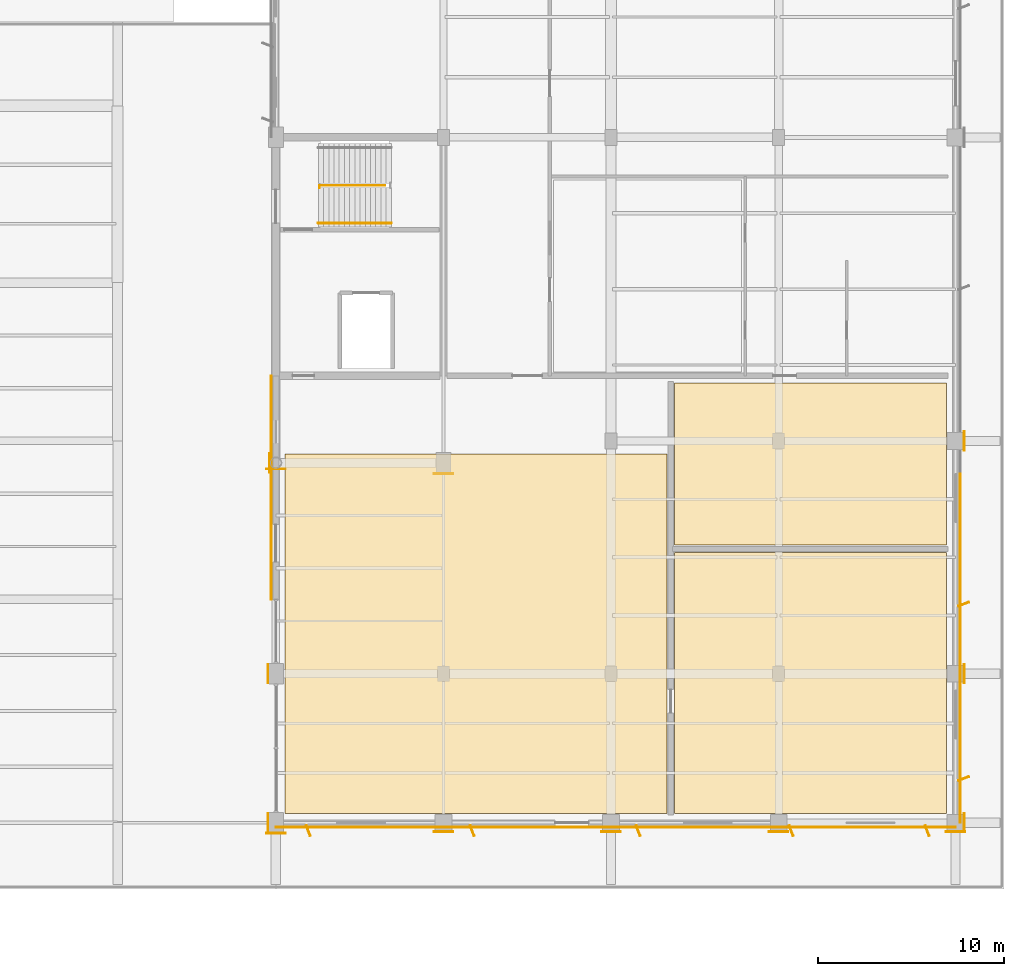
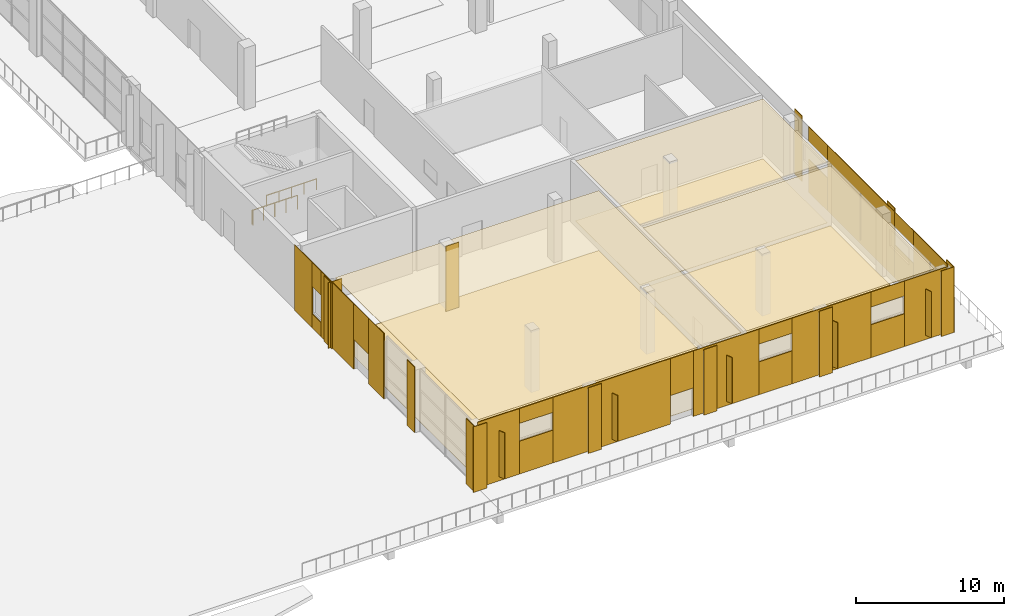
# One storey, part 84 of 90: 50 coverings, 2 railings.
"""IFC4 building model written with IfcOpenShell, lengths in metres."""

from ifc_helpers import new_model, si_unit, direction, frame, origin, origin_2d, place, context, subcontext, project, spatial, polyline, rectangle, circle, outline, extrude, material, layer, layer_set, type_object, element, save


model = new_model("IFC4")

# Units and contexts
model_context = context("Model", 3, precision=1e-05, world=origin(), true_north=direction((0.0, 1.0)))
body_context = subcontext(model_context, "Body", "Model", "MODEL_VIEW")
ifc_project = project(units=[si_unit("LENGTHUNIT", "METRE"), si_unit("AREAUNIT", "SQUARE_METRE"), si_unit("VOLUMEUNIT", "CUBIC_METRE"), si_unit("PLANEANGLEUNIT", "RADIAN"), si_unit("MASSUNIT", "GRAM", prefix="KILO")], contexts=[model_context])

# Site, building, storey
site_placement = place(None, origin())
site = spatial("IfcSite", under=ifc_project, at=site_placement, CompositionType="ELEMENT")
building_placement = place(site_placement, origin())
building = spatial("IfcBuilding", under=site, at=building_placement, Name="Solvikara Media Centre", CompositionType="ELEMENT")
storey_placement = place(building_placement, origin())
storey = spatial("IfcBuildingStorey", under=building, at=storey_placement, Name="L00", CompositionType="ELEMENT", Elevation=0.0)

# Coverings
ifc_material_1 = material(Name="Perforated acoustic gypsum ceiling board")
ifc_layer_1 = layer(ifc_material_1, 0.0400390625)
ifc_layer_set_1 = layer_set([ifc_layer_1], Name="Perforated acoustic gypsum ceiling board")
covering_type_1 = type_object("IfcCoveringType", Name="CV-01", PredefinedType="CEILING", material=ifc_layer_set_1)
covering_1_placement = place(storey_placement, frame((0.0, 0.0, 4.929931640625)))
element("IfcCovering", 1, at=covering_1_placement, inside=storey, type_object=covering_type_1, Name="CLG-010", PredefinedType="CEILING", context=body_context, shape_type="SweptSolid", body=[
    extrude(outline(polyline([(128.0, 0.5), (148.5, 0.5), (148.5, 19.800048828125), (128.0, 19.800048828125), (128.0, 0.5)])), origin(), (0.0, 0.0, 1.0), 0.0400390625),
])
covering_2_placement = place(storey_placement, frame((0.0, 0.0, 4.929931640625)))
element("IfcCovering", 2, at=covering_2_placement, inside=storey, type_object=covering_type_1, Name="CLG-011", PredefinedType="CEILING", context=body_context, shape_type="SweptSolid", body=[
    extrude(outline(polyline([(148.89990234375, 0.5), (163.5, 0.5), (163.5, 14.5), (148.89990234375, 14.5), (148.89990234375, 0.5)])), origin(), (0.0, 0.0, 1.0), 0.0400390625),
])
covering_3_placement = place(storey_placement, frame((0.0, 0.0, 4.929931640625)))
element("IfcCovering", 3, at=covering_3_placement, inside=storey, type_object=covering_type_1, Name="CLG-012", PredefinedType="CEILING", context=body_context, shape_type="SweptSolid", body=[
    extrude(outline(polyline([(148.89990234375, 14.89990234375), (163.5, 14.89990234375), (163.5, 23.60009765625), (148.89990234375, 23.60009765625), (148.89990234375, 14.89990234375)])), origin(), (0.0, 0.0, 1.0), 0.0400390625),
])
ifc_material_2 = material(Name="Polished terrazzo floor finish")
ifc_layer_2 = layer(ifc_material_2, 0.030029296875)
ifc_layer_set_2 = layer_set([ifc_layer_2], Name="Polished terrazzo floor finish")
covering_type_2 = type_object("IfcCoveringType", Name="CV-02", PredefinedType="FLOORING", material=ifc_layer_set_2)
covering_4_placement = place(storey_placement, origin())
element("IfcCovering", 4, at=covering_4_placement, inside=storey, type_object=covering_type_2, Name="FLR-010", PredefinedType="FLOORING", context=body_context, shape_type="SweptSolid", body=[
    extrude(outline(polyline([(128.0, 0.5), (148.5, 0.5), (148.5, 19.800048828125), (128.0, 19.800048828125), (128.0, 0.5)])), origin(), (0.0, 0.0, 1.0), 0.030029296875),
])
covering_5_placement = place(storey_placement, origin())
element("IfcCovering", 5, at=covering_5_placement, inside=storey, type_object=covering_type_2, Name="FLR-011", PredefinedType="FLOORING", context=body_context, shape_type="SweptSolid", body=[
    extrude(outline(polyline([(148.89990234375, 0.5), (163.5, 0.5), (163.5, 14.5), (148.89990234375, 14.5), (148.89990234375, 0.5)])), origin(), (0.0, 0.0, 1.0), 0.030029296875),
])
covering_6_placement = place(storey_placement, origin())
element("IfcCovering", 6, at=covering_6_placement, inside=storey, type_object=covering_type_2, Name="FLR-012", PredefinedType="FLOORING", context=body_context, shape_type="SweptSolid", body=[
    extrude(outline(polyline([(148.89990234375, 14.89990234375), (163.5, 14.89990234375), (163.5, 23.60009765625), (148.89990234375, 23.60009765625), (148.89990234375, 14.89990234375)])), origin(), (0.0, 0.0, 1.0), 0.030029296875),
])
ifc_material_3 = material(Name="GFRC white mineral architectural rainscreen panel")
ifc_layer_3 = layer(ifc_material_3, 0.050048828125)
ifc_layer_set_3 = layer_set([ifc_layer_3], Name="GFRC white mineral architectural rainscreen panel")
covering_type_3 = type_object("IfcCoveringType", Name="CV-04", PredefinedType="CLADDING", material=ifc_layer_set_3)
for number, where, z_axis, x_axis, name in (
    (7, (127.5, -0.574951171875, 0.0), (0.0, 0.0, 1.0), (1.0, 0.0, 0.0), "PIL-L00-185"),
    (8, (127.074951171875, 0.0, 0.0), (0.0, 0.0, 1.0), (0.0, -1.0, 0.0), "PIL-L00-186"),
    (9, (127.074951171875, 8.0, 0.0), (0.0, 0.0, 1.0), (0.0, -1.0, 0.0), "PIL-L00-191"),
    (10, (136.5, -0.47509765625, 0.0), (0.0, 0.0, 1.0), (1.0, 0.0, 0.0), "PIL-L00-198"),
    (11, (145.5, -0.47509765625, 0.0), (0.0, 0.0, 1.0), (1.0, 0.0, 0.0), "PIL-L00-205"),
    (12, (154.5, -0.47509765625, 0.0), (0.0, 0.0, 1.0), (1.0, 0.0, 0.0), "PIL-L00-211"),
    (13, (164.47509765625, 0.0, 0.0), (0.0, 0.0, 1.0), (0.0, 1.0, 0.0), "PIL-L00-217"),
    (14, (164.0, -0.47509765625, 0.0), (0.0, 0.0, 1.0), (1.0, 0.0, 0.0), "PIL-L00-218"),
    (15, (164.47509765625, 8.0, 0.0), (0.0, 0.0, 1.0), (0.0, 1.0, 0.0), "PIL-L00-223"),
    (16, (164.47509765625, 20.5, 0.0), (0.0, 0.0, 1.0), (0.0, 1.0, 0.0), "PIL-L00-228"),
    (17, (136.5, 18.7490234375, 0.0), (0.0, 0.0, 1.0), (1.0, 0.0, 0.0), "PIL-L00-242"),
    (18, (127.5, 18.993896484375, 0.0), (0.0, 0.0, 1.0), (1.0, 0.0, 0.0), "PIL-L00-253"),
    (19, (127.169921875, 19.323974609375, 0.0), (0.0, 0.0, 1.0), (0.0, -1.0, 0.0), "PIL-L00-254"),
):
    element("IfcCovering", number, at=place(storey_placement, frame(where, z_axis=z_axis, x_axis=x_axis)), inside=storey, type_object=covering_type_3, Name=name, PredefinedType="CLADDING", context=body_context, shape_type="SweptSolid", body=[
        extrude(rectangle(XDim=1.0400390625, YDim=0.050048828125, at=origin_2d()), origin(), (0.0, 0.0, 1.0), 5.39990234375),
    ])
covering_7_placement = place(storey_placement, frame((127.2548828125, 12.97998046875, 0.0), z_axis=(0.0, 0.0, 1.0), x_axis=(0.0, 1.0, 0.0)))
element("IfcCovering", 20, at=covering_7_placement, inside=storey, type_object=covering_type_3, Name="L00-V5W-CV-F01", PredefinedType="CLADDING", context=body_context, shape_type="SweptSolid", body=[
    extrude(rectangle(XDim=2.0400390625, YDim=0.050048828125, at=origin_2d()), origin(), (0.0, 0.0, 1.0), 5.39990234375),
])
covering_8_placement = place(storey_placement, frame((127.2548828125, 15.0, 2.4501953125), z_axis=(0.0, 0.0, 1.0), x_axis=(0.0, 1.0, 0.0)))
element("IfcCovering", 21, at=covering_8_placement, inside=storey, type_object=covering_type_3, Name="L00-V5W-CV-D02", PredefinedType="CLADDING", context=body_context, shape_type="SweptSolid", body=[
    extrude(rectangle(XDim=2.0, YDim=0.050048828125, at=origin_2d()), origin(), (0.0, 0.0, 1.0), 2.949951171875),
])
covering_9_placement = place(storey_placement, frame((127.2548828125, 18.195068359375, 0.0), z_axis=(0.0, 0.0, 1.0), x_axis=(0.0, 1.0, 0.0)))
element("IfcCovering", 22, at=covering_9_placement, inside=storey, type_object=covering_type_3, Name="L00-V5W-CV-F03", PredefinedType="CLADDING", context=body_context, shape_type="SweptSolid", body=[
    extrude(rectangle(XDim=4.389892578125, YDim=0.050048828125, at=origin_2d()), origin(), (0.0, 0.0, 1.0), 5.39990234375),
])
covering_10_placement = place(storey_placement, frame((127.2548828125, 20.989990234375, 0.0), z_axis=(0.0, 0.0, 1.0), x_axis=(0.0, 1.0, 0.0)))
element("IfcCovering", 23, at=covering_10_placement, inside=storey, type_object=covering_type_3, Name="L00-V5W-CV-S04", PredefinedType="CLADDING", context=body_context, shape_type="SweptSolid", body=[
    extrude(rectangle(XDim=1.199951171875, YDim=0.050048828125, at=origin_2d()), origin(), (0.0, 0.0, 1.0), 1.169921875),
])
covering_11_placement = place(storey_placement, frame((127.2548828125, 20.989990234375, 3.43017578125), z_axis=(0.0, 0.0, 1.0), x_axis=(0.0, 1.0, 0.0)))
element("IfcCovering", 24, at=covering_11_placement, inside=storey, type_object=covering_type_3, Name="L00-V5W-CV-H04", PredefinedType="CLADDING", context=body_context, shape_type="SweptSolid", body=[
    extrude(rectangle(XDim=1.199951171875, YDim=0.050048828125, at=origin_2d()), origin(), (0.0, 0.0, 1.0), 1.969970703125),
])
covering_12_placement = place(storey_placement, frame((127.2548828125, 22.794921875, 0.0), z_axis=(0.0, 0.0, 1.0), x_axis=(0.0, 1.0, 0.0)))
element("IfcCovering", 25, at=covering_12_placement, inside=storey, type_object=covering_type_3, Name="L00-V5W-CV-F05", PredefinedType="CLADDING", context=body_context, shape_type="SweptSolid", body=[
    extrude(rectangle(XDim=2.409912109375, YDim=0.050048828125, at=origin_2d()), origin(), (0.0, 0.0, 1.0), 5.39990234375),
])
covering_13_placement = place(storey_placement, frame((129.132080078125, -0.2451171875, 0.0), z_axis=(0.0, 0.0, 1.0), x_axis=(1.0, 0.0, 0.0)))
element("IfcCovering", 26, at=covering_13_placement, inside=storey, type_object=covering_type_3, Name="L00-V5S-CV-F01", PredefinedType="CLADDING", context=body_context, shape_type="SweptSolid", body=[
    extrude(rectangle(XDim=3.262939453125, YDim=0.050048828125, at=origin_2d()), origin(), (0.0, 0.0, 1.0), 5.39990234375),
])
covering_14_placement = place(storey_placement, frame((129.240966796875, -0.43505859375, 0.35009765625), z_axis=(0.0, 0.0, 1.0), x_axis=(0.3656566557, -0.930749810713, 0.0)))
element("IfcCovering", 27, at=covering_14_placement, inside=storey, type_object=covering_type_3, Name="L00-V5S-FIN-01", PredefinedType="CLADDING", context=body_context, shape_type="SweptSolid", body=[
    extrude(rectangle(XDim=0.60205078125, YDim=0.050048828125, at=origin_2d()), origin(), (0.0, 0.0, 1.0), 3.800048828125),
])
covering_15_placement = place(storey_placement, frame((132.06298828125, -0.2451171875, 0.0), z_axis=(0.0, 0.0, 1.0), x_axis=(1.0, 0.0, 0.0)))
element("IfcCovering", 28, at=covering_15_placement, inside=storey, type_object=covering_type_3, Name="L00-V5S-CV-S02", PredefinedType="CLADDING", context=body_context, shape_type="SweptSolid", body=[
    extrude(rectangle(XDim=2.60009765625, YDim=0.050048828125, at=origin_2d()), origin(), (0.0, 0.0, 1.0), 2.7099609375),
])
covering_16_placement = place(storey_placement, frame((132.06298828125, -0.2451171875, 4.169921875), z_axis=(0.0, 0.0, 1.0), x_axis=(1.0, 0.0, 0.0)))
element("IfcCovering", 29, at=covering_16_placement, inside=storey, type_object=covering_type_3, Name="L00-V5S-CV-H02", PredefinedType="CLADDING", context=body_context, shape_type="SweptSolid", body=[
    extrude(rectangle(XDim=2.60009765625, YDim=0.050048828125, at=origin_2d()), origin(), (0.0, 0.0, 1.0), 1.22998046875),
])
covering_17_placement = place(storey_placement, frame((137.930908203125, -0.2451171875, 0.0), z_axis=(0.0, 0.0, 1.0), x_axis=(1.0, 0.0, 0.0)))
element("IfcCovering", 30, at=covering_17_placement, inside=storey, type_object=covering_type_3, Name="L00-V5S-CV-F03", PredefinedType="CLADDING", context=body_context, shape_type="SweptSolid", body=[
    extrude(rectangle(XDim=9.136962890625, YDim=0.050048828125, at=origin_2d()), origin(), (0.0, 0.0, 1.0), 5.39990234375),
])
covering_18_placement = place(storey_placement, frame((138.041015625, -0.43505859375, 0.35009765625), z_axis=(0.0, 0.0, 1.0), x_axis=(0.3656566557, -0.930749810713, 0.0)))
element("IfcCovering", 31, at=covering_18_placement, inside=storey, type_object=covering_type_3, Name="L00-V5S-FIN-03", PredefinedType="CLADDING", context=body_context, shape_type="SweptSolid", body=[
    extrude(rectangle(XDim=0.60205078125, YDim=0.050048828125, at=origin_2d()), origin(), (0.0, 0.0, 1.0), 3.800048828125),
])
covering_19_placement = place(storey_placement, frame((143.39990234375, -0.2451171875, 2.35009765625), z_axis=(0.0, 0.0, 1.0), x_axis=(1.0, 0.0, 0.0)))
element("IfcCovering", 32, at=covering_19_placement, inside=storey, type_object=covering_type_3, Name="L00-V5S-CV-D04", PredefinedType="CLADDING", context=body_context, shape_type="SweptSolid", body=[
    extrude(rectangle(XDim=1.800048828125, YDim=0.050048828125, at=origin_2d()), origin(), (0.0, 0.0, 1.0), 3.050048828125),
])
covering_20_placement = place(storey_placement, frame((146.845947265625, -0.2451171875, 0.0), z_axis=(0.0, 0.0, 1.0), x_axis=(1.0, 0.0, 0.0)))
element("IfcCovering", 33, at=covering_20_placement, inside=storey, type_object=covering_type_3, Name="L00-V5S-CV-F05", PredefinedType="CLADDING", context=body_context, shape_type="SweptSolid", body=[
    extrude(rectangle(XDim=5.092041015625, YDim=0.050048828125, at=origin_2d()), origin(), (0.0, 0.0, 1.0), 5.39990234375),
])
covering_21_placement = place(storey_placement, frame((146.9560546875, -0.43505859375, 0.35009765625), z_axis=(0.0, 0.0, 1.0), x_axis=(0.3656566557, -0.930749810713, 0.0)))
element("IfcCovering", 34, at=covering_21_placement, inside=storey, type_object=covering_type_3, Name="L00-V5S-FIN-05", PredefinedType="CLADDING", context=body_context, shape_type="SweptSolid", body=[
    extrude(rectangle(XDim=0.60205078125, YDim=0.050048828125, at=origin_2d()), origin(), (0.0, 0.0, 1.0), 3.800048828125),
])
covering_22_placement = place(storey_placement, frame((150.69189453125, -0.2451171875, 0.0), z_axis=(0.0, 0.0, 1.0), x_axis=(1.0, 0.0, 0.0)))
element("IfcCovering", 35, at=covering_22_placement, inside=storey, type_object=covering_type_3, Name="L00-V5S-CV-S06", PredefinedType="CLADDING", context=body_context, shape_type="SweptSolid", body=[
    extrude(rectangle(XDim=2.60009765625, YDim=0.050048828125, at=origin_2d()), origin(), (0.0, 0.0, 1.0), 2.7099609375),
])
covering_23_placement = place(storey_placement, frame((150.69189453125, -0.2451171875, 4.169921875), z_axis=(0.0, 0.0, 1.0), x_axis=(1.0, 0.0, 0.0)))
element("IfcCovering", 36, at=covering_23_placement, inside=storey, type_object=covering_type_3, Name="L00-V5S-CV-H06", PredefinedType="CLADDING", context=body_context, shape_type="SweptSolid", body=[
    extrude(rectangle(XDim=2.60009765625, YDim=0.050048828125, at=origin_2d()), origin(), (0.0, 0.0, 1.0), 1.22998046875),
])
covering_24_placement = place(storey_placement, frame((155.06494140625, -0.2451171875, 0.0), z_axis=(0.0, 0.0, 1.0), x_axis=(1.0, 0.0, 0.0)))
element("IfcCovering", 37, at=covering_24_placement, inside=storey, type_object=covering_type_3, Name="L00-V5S-CV-F07", PredefinedType="CLADDING", context=body_context, shape_type="SweptSolid", body=[
    extrude(rectangle(XDim=6.14501953125, YDim=0.050048828125, at=origin_2d()), origin(), (0.0, 0.0, 1.0), 5.39990234375),
])
covering_25_placement = place(storey_placement, frame((155.175048828125, -0.43505859375, 0.35009765625), z_axis=(0.0, 0.0, 1.0), x_axis=(0.3656566557, -0.930749810713, 0.0)))
element("IfcCovering", 38, at=covering_25_placement, inside=storey, type_object=covering_type_3, Name="L00-V5S-FIN-07", PredefinedType="CLADDING", context=body_context, shape_type="SweptSolid", body=[
    extrude(rectangle(XDim=0.60205078125, YDim=0.050048828125, at=origin_2d()), origin(), (0.0, 0.0, 1.0), 3.800048828125),
])
covering_26_placement = place(storey_placement, frame((159.43701171875, -0.2451171875, 0.0), z_axis=(0.0, 0.0, 1.0), x_axis=(1.0, 0.0, 0.0)))
element("IfcCovering", 39, at=covering_26_placement, inside=storey, type_object=covering_type_3, Name="L00-V5S-CV-S08", PredefinedType="CLADDING", context=body_context, shape_type="SweptSolid", body=[
    extrude(rectangle(XDim=2.60009765625, YDim=0.050048828125, at=origin_2d()), origin(), (0.0, 0.0, 1.0), 2.7099609375),
])
covering_27_placement = place(storey_placement, frame((159.43701171875, -0.2451171875, 4.169921875), z_axis=(0.0, 0.0, 1.0), x_axis=(1.0, 0.0, 0.0)))
element("IfcCovering", 40, at=covering_27_placement, inside=storey, type_object=covering_type_3, Name="L00-V5S-CV-H08", PredefinedType="CLADDING", context=body_context, shape_type="SweptSolid", body=[
    extrude(rectangle(XDim=2.60009765625, YDim=0.050048828125, at=origin_2d()), origin(), (0.0, 0.0, 1.0), 1.22998046875),
])
covering_28_placement = place(storey_placement, frame((162.367919921875, -0.2451171875, 0.0), z_axis=(0.0, 0.0, 1.0), x_axis=(1.0, 0.0, 0.0)))
element("IfcCovering", 41, at=covering_28_placement, inside=storey, type_object=covering_type_3, Name="L00-V5S-CV-F09", PredefinedType="CLADDING", context=body_context, shape_type="SweptSolid", body=[
    extrude(rectangle(XDim=3.262939453125, YDim=0.050048828125, at=origin_2d()), origin(), (0.0, 0.0, 1.0), 5.39990234375),
])
covering_29_placement = place(storey_placement, frame((162.47802734375, -0.43505859375, 0.35009765625), z_axis=(0.0, 0.0, 1.0), x_axis=(0.3656566557, -0.930749810713, 0.0)))
element("IfcCovering", 42, at=covering_29_placement, inside=storey, type_object=covering_type_3, Name="L00-V5S-FIN-09", PredefinedType="CLADDING", context=body_context, shape_type="SweptSolid", body=[
    extrude(rectangle(XDim=0.60205078125, YDim=0.050048828125, at=origin_2d()), origin(), (0.0, 0.0, 1.0), 3.800048828125),
])
covering_30_placement = place(storey_placement, frame((164.2451171875, 2.256103515625, 0.0), z_axis=(0.0, 0.0, 1.0), x_axis=(0.0, 1.0, 0.0)))
element("IfcCovering", 43, at=covering_30_placement, inside=storey, type_object=covering_type_3, Name="L00-V5E-CV-F01", PredefinedType="CLADDING", context=body_context, shape_type="SweptSolid", body=[
    extrude(rectangle(XDim=4.512939453125, YDim=0.050048828125, at=origin_2d()), origin(), (0.0, 0.0, 1.0), 5.39990234375),
])
covering_31_placement = place(storey_placement, frame((164.43505859375, 2.365966796875, 0.35009765625), z_axis=(0.0, 0.0, 1.0), x_axis=(0.930749810713, 0.3656566557, 0.0)))
element("IfcCovering", 44, at=covering_31_placement, inside=storey, type_object=covering_type_3, Name="L00-V5E-FIN-01", PredefinedType="CLADDING", context=body_context, shape_type="SweptSolid", body=[
    extrude(rectangle(XDim=0.60205078125, YDim=0.050048828125, at=origin_2d()), origin(), (0.0, 0.0, 1.0), 3.800048828125),
])
covering_32_placement = place(storey_placement, frame((164.2451171875, 5.81298828125, 0.0), z_axis=(0.0, 0.0, 1.0), x_axis=(0.0, 1.0, 0.0)))
element("IfcCovering", 45, at=covering_32_placement, inside=storey, type_object=covering_type_3, Name="L00-V5E-CV-S02", PredefinedType="CLADDING", context=body_context, shape_type="SweptSolid", body=[
    extrude(rectangle(XDim=2.60009765625, YDim=0.050048828125, at=origin_2d()), origin(), (0.0, 0.0, 1.0), 2.7099609375),
])
covering_33_placement = place(storey_placement, frame((164.2451171875, 5.81298828125, 4.169921875), z_axis=(0.0, 0.0, 1.0), x_axis=(0.0, 1.0, 0.0)))
element("IfcCovering", 46, at=covering_33_placement, inside=storey, type_object=covering_type_3, Name="L00-V5E-CV-H02", PredefinedType="CLADDING", context=body_context, shape_type="SweptSolid", body=[
    extrude(rectangle(XDim=2.60009765625, YDim=0.050048828125, at=origin_2d()), origin(), (0.0, 0.0, 1.0), 1.22998046875),
])
covering_34_placement = place(storey_placement, frame((164.2451171875, 11.625, 0.0), z_axis=(0.0, 0.0, 1.0), x_axis=(0.0, 1.0, 0.0)))
element("IfcCovering", 47, at=covering_34_placement, inside=storey, type_object=covering_type_3, Name="L00-V5E-CV-F03", PredefinedType="CLADDING", context=body_context, shape_type="SweptSolid", body=[
    extrude(rectangle(XDim=9.02392578125, YDim=0.050048828125, at=origin_2d()), origin(), (0.0, 0.0, 1.0), 5.39990234375),
])
covering_35_placement = place(storey_placement, frame((164.43505859375, 11.735107421875, 0.35009765625), z_axis=(0.0, 0.0, 1.0), x_axis=(0.930749810713, 0.3656566557, 0.0)))
element("IfcCovering", 48, at=covering_35_placement, inside=storey, type_object=covering_type_3, Name="L00-V5E-FIN-03", PredefinedType="CLADDING", context=body_context, shape_type="SweptSolid", body=[
    extrude(rectangle(XDim=0.60205078125, YDim=0.050048828125, at=origin_2d()), origin(), (0.0, 0.0, 1.0), 3.800048828125),
])
covering_36_placement = place(storey_placement, frame((164.2451171875, 17.43701171875, 0.0), z_axis=(0.0, 0.0, 1.0), x_axis=(0.0, 1.0, 0.0)))
element("IfcCovering", 49, at=covering_36_placement, inside=storey, type_object=covering_type_3, Name="L00-V5E-CV-S04", PredefinedType="CLADDING", context=body_context, shape_type="SweptSolid", body=[
    extrude(rectangle(XDim=2.60009765625, YDim=0.050048828125, at=origin_2d()), origin(), (0.0, 0.0, 1.0), 2.7099609375),
])
covering_37_placement = place(storey_placement, frame((164.2451171875, 17.43701171875, 4.169921875), z_axis=(0.0, 0.0, 1.0), x_axis=(0.0, 1.0, 0.0)))
element("IfcCovering", 50, at=covering_37_placement, inside=storey, type_object=covering_type_3, Name="L00-V5E-CV-H04", PredefinedType="CLADDING", context=body_context, shape_type="SweptSolid", body=[
    extrude(rectangle(XDim=2.60009765625, YDim=0.050048828125, at=origin_2d()), origin(), (0.0, 0.0, 1.0), 1.22998046875),
])

# Railings
ifc_material_4 = material(Name="Steel S355JR", Category="steel")
railing_type_1 = type_object("IfcRailingType", Name="GR-01", PredefinedType="GUARDRAIL", material=ifc_material_4)
railing_1_placement = place(storey_placement, frame((129.840087890625, 34.080078125, 0.0)))
element("IfcRailing", 51, at=railing_1_placement, inside=storey, type_object=railing_type_1, Name="GR-C4-B01-W", PredefinedType="GUARDRAIL", context=body_context, shape_type="SweptSolid", body=[
    extrude(circle(Radius=0.02392578125, at=origin_2d()), frame((0.0, 0.0, 1.1259765625), z_axis=(0.0, 1.0, 0.0), x_axis=(-1.0, 0.0, 0.0)), (0.0, 0.0, 1.0), 0.139892578125),
    extrude(circle(Radius=0.02392578125, at=origin_2d()), frame((0.0, 0.139892578125, 1.1259765625), z_axis=(1.0, 0.0, 0.0), x_axis=(0.0, 1.0, 0.0)), (0.0, 0.0, 1.0), 3.52001953125),
    extrude(circle(Radius=0.02099609375, at=origin_2d()), origin(), (0.0, 0.0, 1.0), 1.101806640625),
    extrude(circle(Radius=0.02099609375, at=origin_2d()), frame((0.0, 0.139892578125, 0.0)), (0.0, 0.0, 1.0), 1.101806640625),
    extrude(circle(Radius=0.02099609375, at=origin_2d()), frame((0.8798828125, 0.139892578125, 0.0)), (0.0, 0.0, 1.0), 1.101806640625),
    extrude(circle(Radius=0.02099609375, at=origin_2d()), frame((1.760009765625, 0.139892578125, 0.0)), (0.0, 0.0, 1.0), 1.101806640625),
    extrude(circle(Radius=0.02099609375, at=origin_2d()), frame((2.64013671875, 0.139892578125, 0.0)), (0.0, 0.0, 1.0), 1.101806640625),
    extrude(circle(Radius=0.02099609375, at=origin_2d()), frame((3.52001953125, 0.139892578125, 0.0)), (0.0, 0.0, 1.0), 1.101806640625),
])
railing_type_2 = type_object("IfcRailingType", Name="HR-01", PredefinedType="HANDRAIL", material=ifc_material_4)
railing_2_placement = place(storey_placement, frame((129.780029296875, 32.199951171875, 2.699951171875)))
element("IfcRailing", 52, at=railing_2_placement, inside=storey, type_object=railing_type_2, Name="HR-C4-L00-1", PredefinedType="HANDRAIL", context=body_context, shape_type="SweptSolid", body=[
    extrude(circle(Radius=0.02392578125, at=origin_2d()), frame((0.0, 0.0, 0.89599609375), z_axis=(1.0, 0.0, 0.0), x_axis=(0.0, 1.0, 0.0)), (0.0, 0.0, 1.0), 3.919921875),
    extrude(circle(Radius=0.02099609375, at=origin_2d()), origin(), (0.0, 0.0, 1.0), 0.871826171875),
    extrude(circle(Radius=0.02099609375, at=origin_2d()), frame((0.97998046875, 0.0, 0.0)), (0.0, 0.0, 1.0), 0.871826171875),
    extrude(circle(Radius=0.02099609375, at=origin_2d()), frame((1.9599609375, 0.0, 0.0)), (0.0, 0.0, 1.0), 0.871826171875),
    extrude(circle(Radius=0.02099609375, at=origin_2d()), frame((2.93994140625, 0.0, 0.0)), (0.0, 0.0, 1.0), 0.871826171875),
    extrude(circle(Radius=0.02099609375, at=origin_2d()), frame((3.919921875, 0.0, 0.0)), (0.0, 0.0, 1.0), 0.871826171875),
])

save(model, "model.ifc")
